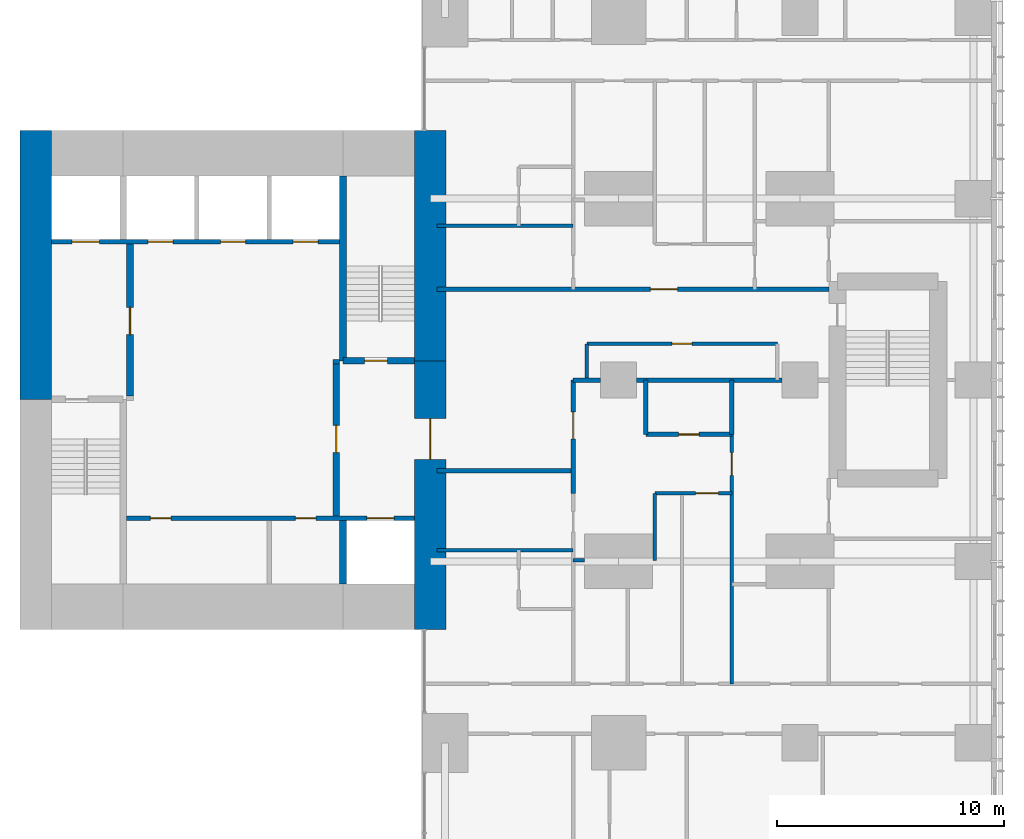
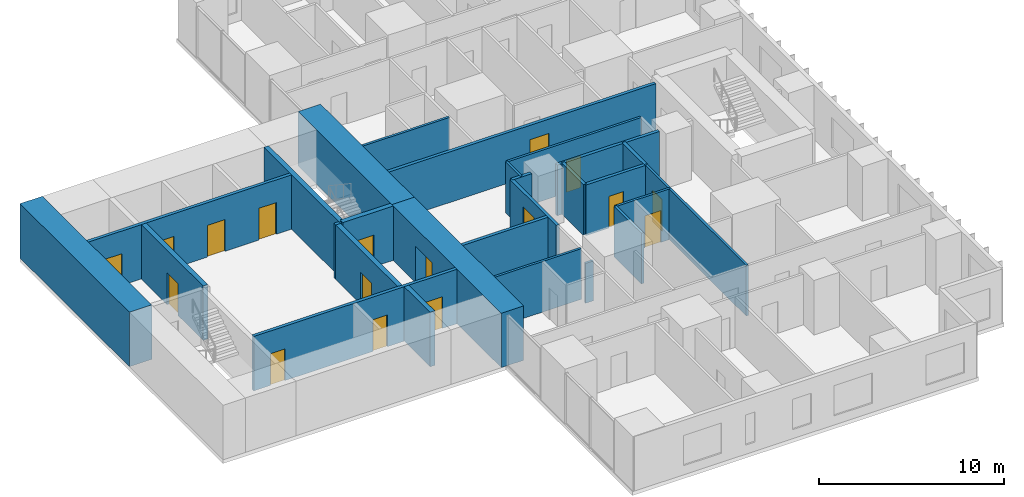
# One storey, part 8 of 12: 27 walls, 17 doors, 17 openings.
"""IFC4 building model written with IfcOpenShell, lengths in metres."""

from ifc_helpers import new_model, si_unit, direction, frame, frame_2d, origin, place, context, subcontext, project, spatial, rectangle, extrude, material, layer, layer_set, type_object, element, fill, save


model = new_model("IFC4")

# Units and contexts
model_context = context("Model", 3, precision=1e-05, world=origin(), true_north=direction((0.0, 1.0)))
body_context = subcontext(model_context, "Body", "Model", "MODEL_VIEW")
ifc_project = project(units=[si_unit("LENGTHUNIT", "METRE"), si_unit("AREAUNIT", "SQUARE_METRE"), si_unit("VOLUMEUNIT", "CUBIC_METRE"), si_unit("PLANEANGLEUNIT", "RADIAN"), si_unit("MASSUNIT", "GRAM", prefix="KILO")], contexts=[model_context])

# Site, building, storey
site_placement = place(None, origin())
site = spatial("IfcSite", under=ifc_project, at=site_placement, CompositionType="ELEMENT")
building_placement = place(site_placement, origin())
building = spatial("IfcBuilding", under=site, at=building_placement, Name="Cleftline Residences", CompositionType="ELEMENT")
storey_placement = place(building_placement, frame((0.0, 0.0, 241.199951171875)))
storey = spatial("IfcBuildingStorey", under=building, at=storey_placement, Name="L63", CompositionType="ELEMENT", Elevation=241.199951171875)

# Wall
ifc_material_1 = material(Name="Concrete B70", Category="concrete")
ifc_layer_1 = layer(ifc_material_1, 1.39990234375)
ifc_layer_set_1 = layer_set([ifc_layer_1], Name="CORE WALL 1400")
wall_type_1 = type_object("IfcWallType", Name="CORE WALL 1400", PredefinedType="SHEAR", material=ifc_layer_set_1)
wall_1_placement = place(storey_placement, frame((24.300048828125, 23.14990234375, 0.0), z_axis=(0.0, 0.0, 1.0), x_axis=(0.0, 1.0, 0.0)))
element("IfcWall", 1, at=wall_1_placement, inside=storey, type_object=wall_type_1, Name="Core wall W", PredefinedType="SHEAR", context=body_context, shape_type="SweptSolid", body=[
    extrude(rectangle(XDim=11.85009765625, YDim=1.39990234375, at=frame_2d((5.925048828125, 0.0))), origin(), (0.0, 0.0, 1.0), 3.60009765625),
])

# Wall, opening, door
wall_2_placement = place(storey_placement, frame((41.699951171875, 13.0, 0.0), z_axis=(0.0, 0.0, 1.0), x_axis=(0.0, 1.0, 0.0)))
wall_2 = element("IfcWall", 2, at=wall_2_placement, inside=storey, type_object=wall_type_1, Name="Core wall E", PredefinedType="SHEAR", context=body_context, shape_type="SweptSolid", body=[
    extrude(rectangle(XDim=11.85009765625, YDim=1.39990234375, at=frame_2d((5.925048828125, 0.0))), origin(), (0.0, 0.0, 1.0), 3.60009765625),
])
opening_1_placement = place(wall_2_placement, frame((7.5, 0.0, 0.0)))
opening_1 = element("IfcOpeningElement", 3, at=opening_1_placement, cuts=wall_2, Name="Opening D7", PredefinedType="OPENING", context=body_context, shape_type="SweptSolid", body=[
    extrude(rectangle(XDim=1.800048828125, YDim=2.39990234375, at=frame_2d((0.89990234375, 1.199951171875))), frame((0.0, 0.7099609375, 0.0), z_axis=(0.0, -1.0, 0.0), x_axis=(1.0, 0.0, 0.0)), (0.0, 0.0, 1.0), 1.419921875),
])
ifc_material_2 = material(Name="Steel", Category="steel")
door_type_1 = type_object("IfcDoorType", Name="WING DOOR 1800X2400", OperationType="DOUBLE_DOOR_DOUBLE_SWING", PredefinedType="DOOR", material=ifc_material_2)
door_1_placement = place(opening_1_placement, origin())
door_1 = element("IfcDoor", 4, at=door_1_placement, inside=storey, type_object=door_type_1, Name="East wing door", OperationType="DOUBLE_DOOR_DOUBLE_SWING", OverallHeight=2.39990234375, OverallWidth=1.800048828125, PredefinedType="DOOR", context=body_context, shape_type="SweptSolid", body=[
    extrude(rectangle(XDim=1.800048828125, YDim=2.39990234375, at=frame_2d((0.89990234375, 1.199951171875))), frame((0.0, 0.02490234375, 0.0), z_axis=(0.0, -1.0, 0.0), x_axis=(1.0, 0.0, 0.0)), (0.0, 0.0, 1.0), 0.050048828125),
])
fill(opening_1, door_1)

# Walls
wall_3_placement = place(storey_placement, frame((41.699951171875, 24.85009765625, 0.0), z_axis=(0.0, 0.0, 1.0), x_axis=(0.0, 1.0, 0.0)))
element("IfcWall", 5, at=wall_3_placement, inside=storey, type_object=wall_type_1, Name="Core wall E1", PredefinedType="SHEAR", context=body_context, shape_type="SweptSolid", body=[
    extrude(rectangle(XDim=10.14990234375, YDim=1.39990234375, at=frame_2d((5.074951171875, 0.0))), origin(), (0.0, 0.0, 1.0), 3.60009765625),
])
ifc_material_3 = material(Name="Concrete B70", Category="concrete")
ifc_layer_2 = layer(ifc_material_3, 0.300048828125)
ifc_layer_set_2 = layer_set([ifc_layer_2], Name="CORE WALL 300")
wall_type_2 = type_object("IfcWallType", Name="CORE WALL 300", PredefinedType="SHEAR", material=ifc_layer_set_2)
wall_4_placement = place(storey_placement, frame((37.85009765625, 24.85009765625, 0.0), z_axis=(0.0, 0.0, 1.0), x_axis=(0.0, 1.0, 0.0)))
element("IfcWall", 6, at=wall_4_placement, inside=storey, type_object=wall_type_2, Name="Core wall SB-W", PredefinedType="SHEAR", context=body_context, shape_type="SweptSolid", body=[
    extrude(rectangle(XDim=8.14990234375, YDim=0.300048828125, at=frame_2d((4.074951171875, 0.0))), origin(), (0.0, 0.0, 1.0), 3.60009765625),
])

# Wall, opening, door
wall_5_placement = place(storey_placement, frame((37.85009765625, 24.85009765625, 0.0), z_axis=(0.0, 0.0, 1.0), x_axis=(1.0, 0.0, 0.0)))
wall_5 = element("IfcWall", 7, at=wall_5_placement, inside=storey, type_object=wall_type_2, Name="Core wall SB-S", PredefinedType="SHEAR", context=body_context, shape_type="SweptSolid", body=[
    extrude(rectangle(XDim=3.14990234375, YDim=0.300048828125, at=frame_2d((1.574951171875, 0.0))), origin(), (0.0, 0.0, 1.0), 3.60009765625),
])
opening_2_placement = place(wall_5_placement, frame((0.949951171875, 0.0, 0.0)))
opening_2 = element("IfcOpeningElement", 8, at=opening_2_placement, cuts=wall_5, Name="Opening D5", PredefinedType="OPENING", context=body_context, shape_type="SweptSolid", body=[
    extrude(rectangle(XDim=1.0, YDim=2.10009765625, at=frame_2d((0.5, 1.050048828125))), frame((0.0, 0.159912109375, 0.0), z_axis=(0.0, -1.0, 0.0), x_axis=(1.0, 0.0, 0.0)), (0.0, 0.0, 1.0), 0.320068359375),
])
ifc_material_4 = material(Name="Steel", Category="steel")
door_type_2 = type_object("IfcDoorType", Name="STAIR DOOR 1000X2100", OperationType="SINGLE_SWING_LEFT", PredefinedType="DOOR", material=ifc_material_4)
door_2_placement = place(opening_2_placement, origin())
door_2 = element("IfcDoor", 9, at=door_2_placement, inside=storey, type_object=door_type_2, Name="Stair B door", OperationType="SINGLE_SWING_RIGHT", OverallHeight=2.10009765625, OverallWidth=1.0, PredefinedType="DOOR", context=body_context, shape_type="SweptSolid", body=[
    extrude(rectangle(XDim=1.0, YDim=2.10009765625, at=frame_2d((0.5, 1.050048828125))), frame((0.0, 0.02490234375, 0.0), z_axis=(0.0, -1.0, 0.0), x_axis=(1.0, 0.0, 0.0)), (0.0, 0.0, 1.0), 0.050048828125),
])
fill(opening_2, door_2)

# Walls
wall_6_placement = place(storey_placement, frame((37.85009765625, 15.0, 0.0), z_axis=(0.0, 0.0, 1.0), x_axis=(0.0, 1.0, 0.0)))
element("IfcWall", 10, at=wall_6_placement, inside=storey, type_object=wall_type_2, Name="Lift shaft wall", PredefinedType="SHEAR", context=body_context, shape_type="SweptSolid", body=[
    extrude(rectangle(XDim=2.800048828125, YDim=0.300048828125, at=frame_2d((1.39990234375, 0.0))), origin(), (0.0, 0.0, 1.0), 3.60009765625),
])
ifc_material_5 = material(Name="Concrete blockwork, fire rated", Category="masonry")
ifc_layer_3 = layer(ifc_material_5, 0.199951171875)
ifc_layer_set_3 = layer_set([ifc_layer_3], Name="FIRE WALL 200")
wall_type_3 = type_object("IfcWallType", Name="FIRE WALL 200", PredefinedType="PARTITIONING", material=ifc_layer_set_3)
wall_7_placement = place(storey_placement, frame((42.0, 20.0, 0.0), z_axis=(0.0, 0.0, 1.0), x_axis=(1.0, 0.0, 0.0)))
element("IfcWall", 11, at=wall_7_placement, inside=storey, type_object=wall_type_3, Name="Fire separating wall", PredefinedType="PARTITIONING", context=body_context, shape_type="SweptSolid", body=[
    extrude(rectangle(XDim=6.0, YDim=0.199951171875, at=frame_2d((3.0, 0.0))), origin(), (0.0, 0.0, 1.0), 3.35009765625),
])

# Wall, opening, door
wall_8_placement = place(storey_placement, frame((51.199951171875, 21.60009765625, 0.0), z_axis=(0.0, 0.0, 1.0), x_axis=(1.0, 0.0, 0.0)))
wall_8 = element("IfcWall", 12, at=wall_8_placement, inside=storey, type_object=wall_type_3, Name="Fire separating wall", PredefinedType="PARTITIONING", context=body_context, shape_type="SweptSolid", body=[
    extrude(rectangle(XDim=3.800048828125, YDim=0.199951171875, at=frame_2d((1.89990234375, 0.0))), origin(), (0.0, 0.0, 1.0), 3.35009765625),
])
opening_3_placement = place(wall_8_placement, frame((1.449951171875, 0.0, 0.0)))
opening_3 = element("IfcOpeningElement", 13, at=opening_3_placement, cuts=wall_8, Name="Opening D1F30", PredefinedType="OPENING", context=body_context, shape_type="SweptSolid", body=[
    extrude(rectangle(XDim=0.89990234375, YDim=2.10009765625, at=frame_2d((0.449951171875, 1.050048828125))), frame((0.0, 0.10986328125, 0.0), z_axis=(0.0, -1.0, 0.0), x_axis=(1.0, 0.0, 0.0)), (0.0, 0.0, 1.0), 0.219970703125),
])
ifc_material_6 = material(Name="Timber veneer on solid core", Category="wood")
door_type_3 = type_object("IfcDoorType", Name="DOOR 900X2100 EI 30", OperationType="SINGLE_SWING_LEFT", PredefinedType="DOOR", material=ifc_material_6)
door_3_placement = place(opening_3_placement, origin())
door_3 = element("IfcDoor", 14, at=door_3_placement, inside=storey, type_object=door_type_3, Name="Door to cloakroom wc", OperationType="SINGLE_SWING_LEFT", OverallHeight=2.10009765625, OverallWidth=0.89990234375, PredefinedType="DOOR", context=body_context, shape_type="SweptSolid", body=[
    extrude(rectangle(XDim=0.89990234375, YDim=2.10009765625, at=frame_2d((0.449951171875, 1.050048828125))), frame((0.0, 0.02490234375, 0.0), z_axis=(0.0, -1.0, 0.0), x_axis=(1.0, 0.0, 0.0)), (0.0, 0.0, 1.0), 0.050048828125),
])
fill(opening_3, door_3)

# Walls
wall_9_placement = place(storey_placement, frame((48.0, 24.0, 0.0), z_axis=(0.0, 0.0, 1.0), x_axis=(1.0, 0.0, 0.0)))
element("IfcWall", 15, at=wall_9_placement, inside=storey, type_object=wall_type_3, Name="Fire separating wall", PredefinedType="PARTITIONING", context=body_context, shape_type="SweptSolid", body=[
    extrude(rectangle(XDim=1.199951171875, YDim=0.199951171875, at=frame_2d((0.60009765625, 0.0))), origin(), (0.0, 0.0, 1.0), 3.35009765625),
])
wall_10_placement = place(storey_placement, frame((50.800048828125, 24.0, 0.0), z_axis=(0.0, 0.0, 1.0), x_axis=(1.0, 0.0, 0.0)))
element("IfcWall", 16, at=wall_10_placement, inside=storey, type_object=wall_type_3, Name="Fire separating wall", PredefinedType="PARTITIONING", context=body_context, shape_type="SweptSolid", body=[
    extrude(rectangle(XDim=6.39990234375, YDim=0.199951171875, at=frame_2d((3.199951171875, 0.0))), origin(), (0.0, 0.0, 1.0), 3.35009765625),
])

# Wall, opening, door
wall_11_placement = place(storey_placement, frame((42.0, 28.0, 0.0), z_axis=(0.0, 0.0, 1.0), x_axis=(1.0, 0.0, 0.0)))
wall_11 = element("IfcWall", 17, at=wall_11_placement, inside=storey, type_object=wall_type_3, Name="Fire separating wall", PredefinedType="PARTITIONING", context=body_context, shape_type="SweptSolid", body=[
    extrude(rectangle(XDim=17.27490234375, YDim=0.199951171875, at=frame_2d((8.637451171875, 0.0))), origin(), (0.0, 0.0, 1.0), 3.35009765625),
])
opening_4_placement = place(wall_11_placement, frame((9.39990234375, 0.0, 0.0)))
opening_4 = element("IfcOpeningElement", 18, at=opening_4_placement, cuts=wall_11, Name="Opening D4", PredefinedType="OPENING", context=body_context, shape_type="SweptSolid", body=[
    extrude(rectangle(XDim=1.199951171875, YDim=2.39990234375, at=frame_2d((0.60009765625, 1.199951171875))), frame((0.0, 0.10986328125, 0.0), z_axis=(0.0, -1.0, 0.0), x_axis=(1.0, 0.0, 0.0)), (0.0, 0.0, 1.0), 0.219970703125),
])
ifc_material_7 = material(Name="Timber veneer on solid core", Category="wood")
door_type_4 = type_object("IfcDoorType", Name="APARTMENT ENTRANCE DOOR 1200X2400", OperationType="SINGLE_SWING_RIGHT", PredefinedType="DOOR", material=ifc_material_7)
door_4_placement = place(opening_4_placement, origin())
door_4 = element("IfcDoor", 19, at=door_4_placement, inside=storey, type_object=door_type_4, Name="Door to residence entrance (gallery)", OperationType="SINGLE_SWING_LEFT", OverallHeight=2.39990234375, OverallWidth=1.199951171875, PredefinedType="DOOR", context=body_context, shape_type="SweptSolid", body=[
    extrude(rectangle(XDim=1.199951171875, YDim=2.39990234375, at=frame_2d((0.60009765625, 1.199951171875))), frame((0.0, 0.02490234375, 0.0), z_axis=(0.0, -1.0, 0.0), x_axis=(1.0, 0.0, 0.0)), (0.0, 0.0, 1.0), 0.050048828125),
])
fill(opening_4, door_4)

wall_12_placement = place(storey_placement, frame((48.0, 19.0, 0.0), z_axis=(0.0, 0.0, 1.0), x_axis=(0.0, 1.0, 0.0)))
wall_12 = element("IfcWall", 20, at=wall_12_placement, inside=storey, type_object=wall_type_3, Name="Fire separating wall", PredefinedType="PARTITIONING", context=body_context, shape_type="SweptSolid", body=[
    extrude(rectangle(XDim=5.0, YDim=0.199951171875, at=frame_2d((2.5, 0.0))), origin(), (0.0, 0.0, 1.0), 3.35009765625),
])
opening_5_placement = place(wall_12_placement, frame((2.39990234375, 0.0, 0.0)))
opening_5 = element("IfcOpeningElement", 21, at=opening_5_placement, cuts=wall_12, Name="Opening D4", PredefinedType="OPENING", context=body_context, shape_type="SweptSolid", body=[
    extrude(rectangle(XDim=1.199951171875, YDim=2.39990234375, at=frame_2d((0.60009765625, 1.199951171875))), frame((0.0, 0.10986328125, 0.0), z_axis=(0.0, -1.0, 0.0), x_axis=(1.0, 0.0, 0.0)), (0.0, 0.0, 1.0), 0.219970703125),
])
door_5_placement = place(opening_5_placement, origin())
door_5 = element("IfcDoor", 22, at=door_5_placement, inside=storey, type_object=door_type_4, Name="Door to residence entrance foyer", OperationType="SINGLE_SWING_LEFT", OverallHeight=2.39990234375, OverallWidth=1.199951171875, PredefinedType="DOOR", context=body_context, shape_type="SweptSolid", body=[
    extrude(rectangle(XDim=1.199951171875, YDim=2.39990234375, at=frame_2d((0.60009765625, 1.199951171875))), frame((0.0, 0.02490234375, 0.0), z_axis=(0.0, -1.0, 0.0), x_axis=(1.0, 0.0, 0.0)), (0.0, 0.0, 1.0), 0.050048828125),
])
fill(opening_5, door_5)

# Walls
for number, where, z_axis, x_axis, name in (
    (23, (51.199951171875, 21.60009765625, 0.0), (0.0, 0.0, 1.0), (0.0, 1.0, 0.0), "Fire separating wall"),
    (24, (55.0, 21.60009765625, 0.0), (0.0, 0.0, 1.0), (0.0, 1.0, 0.0), "Fire separating wall"),
):
    element("IfcWall", number, at=place(storey_placement, frame(where, z_axis=z_axis, x_axis=x_axis)), inside=storey, type_object=wall_type_3, Name=name, PredefinedType="PARTITIONING", context=body_context, shape_type="SweptSolid", body=[
        extrude(rectangle(XDim=2.39990234375, YDim=0.199951171875, at=frame_2d((1.199951171875, 0.0))), origin(), (0.0, 0.0, 1.0), 3.35009765625),
    ])
wall_13_placement = place(storey_placement, frame((37.39990234375, 24.800048828125, 0.0), z_axis=(0.0, 0.0, 1.0), x_axis=(1.0, 0.0, 0.0)))
element("IfcWall", 25, at=wall_13_placement, inside=storey, type_object=wall_type_3, Name="Fire separating wall", PredefinedType="PARTITIONING", context=body_context, shape_type="SweptSolid", body=[
    extrude(rectangle(XDim=0.300048828125, YDim=0.199951171875, at=frame_2d((0.14990234375, 0.0))), origin(), (0.0, 0.0, 1.0), 3.60009765625),
])
ifc_material_8 = material(Name="Gypsum board on steel studs", Category="steel")
ifc_layer_4 = layer(ifc_material_8, 0.14990234375)
ifc_layer_set_4 = layer_set([ifc_layer_4], Name="PARTITION 150")
wall_type_4 = type_object("IfcWallType", Name="PARTITION 150", PredefinedType="PARTITIONING", material=ifc_layer_set_4)
wall_14_placement = place(storey_placement, frame((48.0, 16.050048828125, 0.0), z_axis=(0.0, 0.0, 1.0), x_axis=(1.0, 0.0, 0.0)))
element("IfcWall", 26, at=wall_14_placement, inside=storey, type_object=wall_type_4, Name="Partition", PredefinedType="PARTITIONING", context=body_context, shape_type="SweptSolid", body=[
    extrude(rectangle(XDim=0.5, YDim=0.14990234375, at=frame_2d((0.25, 0.0))), origin(), (0.0, 0.0, 1.0), 2.634033203125),
])
wall_15_placement = place(storey_placement, frame((42.0, 16.5, 0.0), z_axis=(0.0, 0.0, 1.0), x_axis=(1.0, 0.0, 0.0)))
element("IfcWall", 27, at=wall_15_placement, inside=storey, type_object=wall_type_4, Name="Partition", PredefinedType="PARTITIONING", context=body_context, shape_type="SweptSolid", body=[
    extrude(rectangle(XDim=6.0, YDim=0.14990234375, at=frame_2d((3.0, 0.0))), origin(), (0.0, 0.0, 1.0), 3.35009765625),
])

# Wall, opening, door
wall_16_placement = place(storey_placement, frame((51.60009765625, 19.0, 0.0), z_axis=(0.0, 0.0, 1.0), x_axis=(1.0, 0.0, 0.0)))
wall_16 = element("IfcWall", 28, at=wall_16_placement, inside=storey, type_object=wall_type_4, Name="Partition", PredefinedType="PARTITIONING", context=body_context, shape_type="SweptSolid", body=[
    extrude(rectangle(XDim=3.39990234375, YDim=0.14990234375, at=frame_2d((1.699951171875, 0.0))), origin(), (0.0, 0.0, 1.0), 3.35009765625),
])
opening_6_placement = place(wall_16_placement, frame((1.800048828125, 0.0, 0.0)))
opening_6 = element("IfcOpeningElement", 29, at=opening_6_placement, cuts=wall_16, Name="Opening D2", PredefinedType="OPENING", context=body_context, shape_type="SweptSolid", body=[
    extrude(rectangle(XDim=1.0, YDim=2.10009765625, at=frame_2d((0.5, 1.050048828125))), frame((0.0, 0.0849609375, 0.0), z_axis=(0.0, -1.0, 0.0), x_axis=(1.0, 0.0, 0.0)), (0.0, 0.0, 1.0), 0.169921875),
])
ifc_material_9 = material(Name="Timber veneer on solid core", Category="wood")
door_type_5 = type_object("IfcDoorType", Name="DOOR 1000X2100", OperationType="SINGLE_SWING_LEFT", PredefinedType="DOOR", material=ifc_material_9)
door_6_placement = place(opening_6_placement, origin())
door_6 = element("IfcDoor", 30, at=door_6_placement, inside=storey, type_object=door_type_5, Name="Door to residence passage", OperationType="SINGLE_SWING_LEFT", OverallHeight=2.10009765625, OverallWidth=1.0, PredefinedType="DOOR", context=body_context, shape_type="SweptSolid", body=[
    extrude(rectangle(XDim=1.0, YDim=2.10009765625, at=frame_2d((0.5, 1.050048828125))), frame((0.0, 0.02490234375, 0.0), z_axis=(0.0, -1.0, 0.0), x_axis=(1.0, 0.0, 0.0)), (0.0, 0.0, 1.0), 0.050048828125),
])
fill(opening_6, door_6)

wall_17_placement = place(storey_placement, frame((48.60009765625, 25.60009765625, 0.0), z_axis=(0.0, 0.0, 1.0), x_axis=(1.0, 0.0, 0.0)))
wall_17 = element("IfcWall", 31, at=wall_17_placement, inside=storey, type_object=wall_type_4, Name="Partition", PredefinedType="PARTITIONING", context=body_context, shape_type="SweptSolid", body=[
    extrude(rectangle(XDim=8.39990234375, YDim=0.14990234375, at=frame_2d((4.199951171875, 0.0))), origin(), (0.0, 0.0, 1.0), 3.35009765625),
])
opening_7_placement = place(wall_17_placement, frame((3.75, 0.0, 0.0)))
opening_7 = element("IfcOpeningElement", 32, at=opening_7_placement, cuts=wall_17, Name="Opening D1", PredefinedType="OPENING", context=body_context, shape_type="SweptSolid", body=[
    extrude(rectangle(XDim=0.89990234375, YDim=2.10009765625, at=frame_2d((0.449951171875, 1.050048828125))), frame((0.0, 0.0849609375, 0.0), z_axis=(0.0, -1.0, 0.0), x_axis=(1.0, 0.0, 0.0)), (0.0, 0.0, 1.0), 0.169921875),
])
ifc_material_10 = material(Name="Timber veneer on solid core", Category="wood")
door_type_6 = type_object("IfcDoorType", Name="DOOR 900X2100", OperationType="SINGLE_SWING_LEFT", PredefinedType="DOOR", material=ifc_material_10)
door_7_placement = place(opening_7_placement, origin())
door_7 = element("IfcDoor", 33, at=door_7_placement, inside=storey, type_object=door_type_6, Name="Door to residents' locker room", OperationType="SINGLE_SWING_LEFT", OverallHeight=2.10009765625, OverallWidth=0.89990234375, PredefinedType="DOOR", context=body_context, shape_type="SweptSolid", body=[
    extrude(rectangle(XDim=0.89990234375, YDim=2.10009765625, at=frame_2d((0.449951171875, 1.050048828125))), frame((0.0, 0.02490234375, 0.0), z_axis=(0.0, -1.0, 0.0), x_axis=(1.0, 0.0, 0.0)), (0.0, 0.0, 1.0), 0.050048828125),
])
fill(opening_7, door_7)

# Walls
wall_18_placement = place(storey_placement, frame((42.0, 30.800048828125, 0.0), z_axis=(0.0, 0.0, 1.0), x_axis=(1.0, 0.0, 0.0)))
element("IfcWall", 34, at=wall_18_placement, inside=storey, type_object=wall_type_4, Name="Partition", PredefinedType="PARTITIONING", context=body_context, shape_type="SweptSolid", body=[
    extrude(rectangle(XDim=6.0, YDim=0.14990234375, at=frame_2d((3.0, 0.0))), origin(), (0.0, 0.0, 1.0), 3.35009765625),
])
wall_19_placement = place(storey_placement, frame((48.60009765625, 24.0, 0.0), z_axis=(0.0, 0.0, 1.0), x_axis=(0.0, 1.0, 0.0)))
element("IfcWall", 35, at=wall_19_placement, inside=storey, type_object=wall_type_4, Name="Partition", PredefinedType="PARTITIONING", context=body_context, shape_type="SweptSolid", body=[
    extrude(rectangle(XDim=1.60009765625, YDim=0.14990234375, at=frame_2d((0.800048828125, 0.0))), origin(), (0.0, 0.0, 1.0), 3.35009765625),
])
wall_20_placement = place(storey_placement, frame((51.60009765625, 16.050048828125, 0.0), z_axis=(0.0, 0.0, 1.0), x_axis=(0.0, 1.0, 0.0)))
element("IfcWall", 36, at=wall_20_placement, inside=storey, type_object=wall_type_4, Name="Partition", PredefinedType="PARTITIONING", context=body_context, shape_type="SweptSolid", body=[
    extrude(rectangle(XDim=2.949951171875, YDim=0.14990234375, at=frame_2d((1.47509765625, 0.0))), origin(), (0.0, 0.0, 1.0), 3.35009765625),
])

# Wall, opening, door
wall_21_placement = place(storey_placement, frame((55.0, 10.60009765625, 0.0), z_axis=(0.0, 0.0, 1.0), x_axis=(0.0, 1.0, 0.0)))
wall_21 = element("IfcWall", 37, at=wall_21_placement, inside=storey, type_object=wall_type_4, Name="Partition", PredefinedType="PARTITIONING", context=body_context, shape_type="SweptSolid", body=[
    extrude(rectangle(XDim=11.0, YDim=0.14990234375, at=frame_2d((5.5, 0.0))), origin(), (0.0, 0.0, 1.0), 3.35009765625),
])
opening_8_placement = place(wall_21_placement, frame((9.199951171875, 0.0, 0.0)))
opening_8 = element("IfcOpeningElement", 38, at=opening_8_placement, cuts=wall_21, Name="Opening D2F30", PredefinedType="OPENING", context=body_context, shape_type="SweptSolid", body=[
    extrude(rectangle(XDim=1.0, YDim=2.10009765625, at=frame_2d((0.5, 1.050048828125))), frame((0.0, 0.0849609375, 0.0), z_axis=(0.0, -1.0, 0.0), x_axis=(1.0, 0.0, 0.0)), (0.0, 0.0, 1.0), 0.169921875),
])
ifc_material_11 = material(Name="Timber veneer on solid core", Category="wood")
door_type_7 = type_object("IfcDoorType", Name="DOOR 1000X2100 EI 30", OperationType="SINGLE_SWING_LEFT", PredefinedType="DOOR", material=ifc_material_11)
door_8_placement = place(opening_8_placement, origin())
door_8 = element("IfcDoor", 39, at=door_8_placement, inside=storey, type_object=door_type_7, Name="Door to residence lobby", OperationType="SINGLE_SWING_LEFT", OverallHeight=2.10009765625, OverallWidth=1.0, PredefinedType="DOOR", context=body_context, shape_type="SweptSolid", body=[
    extrude(rectangle(XDim=1.0, YDim=2.10009765625, at=frame_2d((0.5, 1.050048828125))), frame((0.0, 0.02490234375, 0.0), z_axis=(0.0, -1.0, 0.0), x_axis=(1.0, 0.0, 0.0)), (0.0, 0.0, 1.0), 0.050048828125),
])
fill(opening_8, door_8)

# Wall, openings, doors
ifc_material_12 = material(Name="Concrete blockwork, fire rated", Category="masonry")
ifc_layer_5 = layer(ifc_material_12, 0.199951171875)
ifc_layer_set_5 = layer_set([ifc_layer_5], Name="SHAFT WALL 200")
wall_type_5 = type_object("IfcWallType", Name="SHAFT WALL 200", PredefinedType="PARTITIONING", material=ifc_layer_set_5)
wall_22_placement = place(storey_placement, frame((28.300048828125, 17.89990234375, 0.0), z_axis=(0.0, 0.0, 1.0), x_axis=(1.0, 0.0, 0.0)))
wall_22 = element("IfcWall", 40, at=wall_22_placement, inside=storey, type_object=wall_type_5, Name="Core room wall", PredefinedType="PARTITIONING", context=body_context, shape_type="SweptSolid", body=[
    extrude(rectangle(XDim=12.699951171875, YDim=0.199951171875, at=frame_2d((6.35009765625, 0.0))), origin(), (0.0, 0.0, 1.0), 3.60009765625),
])
opening_9_placement = place(wall_22_placement, frame((1.050048828125, 0.0, 0.0)))
opening_9 = element("IfcOpeningElement", 41, at=opening_9_placement, cuts=wall_22, Name="Opening D1F30", PredefinedType="OPENING", context=body_context, shape_type="SweptSolid", body=[
    extrude(rectangle(XDim=0.89990234375, YDim=2.10009765625, at=frame_2d((0.449951171875, 1.050048828125))), frame((0.0, 0.10986328125, 0.0), z_axis=(0.0, -1.0, 0.0), x_axis=(1.0, 0.0, 0.0)), (0.0, 0.0, 1.0), 0.219970703125),
])
opening_10_placement = place(wall_22_placement, frame((7.449951171875, 0.0, 0.0)))
opening_10 = element("IfcOpeningElement", 42, at=opening_10_placement, cuts=wall_22, Name="Opening D1F30", PredefinedType="OPENING", context=body_context, shape_type="SweptSolid", body=[
    extrude(rectangle(XDim=0.89990234375, YDim=2.10009765625, at=frame_2d((0.449951171875, 1.050048828125))), frame((0.0, 0.10986328125, 0.0), z_axis=(0.0, -1.0, 0.0), x_axis=(1.0, 0.0, 0.0)), (0.0, 0.0, 1.0), 0.219970703125),
])
opening_11_placement = place(wall_22_placement, frame((10.60009765625, 0.0, 0.0)))
opening_11 = element("IfcOpeningElement", 43, at=opening_11_placement, cuts=wall_22, Name="Opening LD2", PredefinedType="OPENING", context=body_context, shape_type="SweptSolid", body=[
    extrude(rectangle(XDim=1.199951171875, YDim=2.10009765625, at=frame_2d((0.60009765625, 1.050048828125))), frame((0.0, 0.10986328125, 0.0), z_axis=(0.0, -1.0, 0.0), x_axis=(1.0, 0.0, 0.0)), (0.0, 0.0, 1.0), 0.219970703125),
])
door_9_placement = place(opening_9_placement, origin())
door_9 = element("IfcDoor", 44, at=door_9_placement, inside=storey, type_object=door_type_3, Name="Door to linen store", OperationType="SINGLE_SWING_RIGHT", OverallHeight=2.10009765625, OverallWidth=0.89990234375, PredefinedType="DOOR", context=body_context, shape_type="SweptSolid", body=[
    extrude(rectangle(XDim=0.89990234375, YDim=2.10009765625, at=frame_2d((0.449951171875, 1.050048828125))), frame((0.0, 0.02490234375, 0.0), z_axis=(0.0, -1.0, 0.0), x_axis=(1.0, 0.0, 0.0)), (0.0, 0.0, 1.0), 0.050048828125),
])
fill(opening_9, door_9)
door_10_placement = place(opening_10_placement, origin())
door_10 = element("IfcDoor", 45, at=door_10_placement, inside=storey, type_object=door_type_3, Name="Door to guest pantry", OperationType="SINGLE_SWING_LEFT", OverallHeight=2.10009765625, OverallWidth=0.89990234375, PredefinedType="DOOR", context=body_context, shape_type="SweptSolid", body=[
    extrude(rectangle(XDim=0.89990234375, YDim=2.10009765625, at=frame_2d((0.449951171875, 1.050048828125))), frame((0.0, 0.02490234375, 0.0), z_axis=(0.0, -1.0, 0.0), x_axis=(1.0, 0.0, 0.0)), (0.0, 0.0, 1.0), 0.050048828125),
])
fill(opening_10, door_10)
ifc_material_13 = material(Name="Steel", Category="steel")
door_type_8 = type_object("IfcDoorType", Name="FIREFIGHTING LIFT LANDING DOOR 1200X2100", OperationType="SLIDING_TO_LEFT", PredefinedType="DOOR", material=ifc_material_13)
door_11_placement = place(opening_11_placement, origin())
door_11 = element("IfcDoor", 46, at=door_11_placement, inside=storey, type_object=door_type_8, Name="Lift FL2 landing door", OperationType="SLIDING_TO_LEFT", OverallHeight=2.10009765625, OverallWidth=1.199951171875, PredefinedType="DOOR", context=body_context, shape_type="SweptSolid", body=[
    extrude(rectangle(XDim=1.199951171875, YDim=2.10009765625, at=frame_2d((0.60009765625, 1.050048828125))), frame((0.0, 0.02490234375, 0.0), z_axis=(0.0, -1.0, 0.0), x_axis=(1.0, 0.0, 0.0)), (0.0, 0.0, 1.0), 0.050048828125),
])
fill(opening_11, door_11)

wall_23_placement = place(storey_placement, frame((25.0, 30.10009765625, 0.0), z_axis=(0.0, 0.0, 1.0), x_axis=(1.0, 0.0, 0.0)))
wall_23 = element("IfcWall", 47, at=wall_23_placement, inside=storey, type_object=wall_type_5, Name="Lift shaft wall", PredefinedType="PARTITIONING", context=body_context, shape_type="SweptSolid", body=[
    extrude(rectangle(XDim=12.699951171875, YDim=0.199951171875, at=frame_2d((6.35009765625, 0.0))), origin(), (0.0, 0.0, 1.0), 3.60009765625),
])
opening_12_placement = place(wall_23_placement, frame((4.25, 0.0, 0.0)))
opening_12 = element("IfcOpeningElement", 48, at=opening_12_placement, cuts=wall_23, Name="Opening LD1", PredefinedType="OPENING", context=body_context, shape_type="SweptSolid", body=[
    extrude(rectangle(XDim=1.10009765625, YDim=2.10009765625, at=frame_2d((0.550048828125, 1.050048828125))), frame((0.0, 0.10986328125, 0.0), z_axis=(0.0, -1.0, 0.0), x_axis=(1.0, 0.0, 0.0)), (0.0, 0.0, 1.0), 0.219970703125),
])
opening_13_placement = place(wall_23_placement, frame((7.449951171875, 0.0, 0.0)))
opening_13 = element("IfcOpeningElement", 49, at=opening_13_placement, cuts=wall_23, Name="Opening LD1", PredefinedType="OPENING", context=body_context, shape_type="SweptSolid", body=[
    extrude(rectangle(XDim=1.10009765625, YDim=2.10009765625, at=frame_2d((0.550048828125, 1.050048828125))), frame((0.0, 0.10986328125, 0.0), z_axis=(0.0, -1.0, 0.0), x_axis=(1.0, 0.0, 0.0)), (0.0, 0.0, 1.0), 0.219970703125),
])
opening_14_placement = place(wall_23_placement, frame((10.64990234375, 0.0, 0.0)))
opening_14 = element("IfcOpeningElement", 50, at=opening_14_placement, cuts=wall_23, Name="Opening LD1", PredefinedType="OPENING", context=body_context, shape_type="SweptSolid", body=[
    extrude(rectangle(XDim=1.10009765625, YDim=2.10009765625, at=frame_2d((0.550048828125, 1.050048828125))), frame((0.0, 0.10986328125, 0.0), z_axis=(0.0, -1.0, 0.0), x_axis=(1.0, 0.0, 0.0)), (0.0, 0.0, 1.0), 0.219970703125),
])
opening_15_placement = place(wall_23_placement, frame((0.89990234375, 0.0, 0.0)))
opening_15 = element("IfcOpeningElement", 51, at=opening_15_placement, cuts=wall_23, Name="Opening LD2", PredefinedType="OPENING", context=body_context, shape_type="SweptSolid", body=[
    extrude(rectangle(XDim=1.199951171875, YDim=2.10009765625, at=frame_2d((0.60009765625, 1.050048828125))), frame((0.0, 0.10986328125, 0.0), z_axis=(0.0, -1.0, 0.0), x_axis=(1.0, 0.0, 0.0)), (0.0, 0.0, 1.0), 0.219970703125),
])
door_12_placement = place(opening_15_placement, origin())
door_12 = element("IfcDoor", 52, at=door_12_placement, inside=storey, type_object=door_type_8, Name="Lift FL1 landing door", OperationType="SLIDING_TO_LEFT", OverallHeight=2.10009765625, OverallWidth=1.199951171875, PredefinedType="DOOR", context=body_context, shape_type="SweptSolid", body=[
    extrude(rectangle(XDim=1.199951171875, YDim=2.10009765625, at=frame_2d((0.60009765625, 1.050048828125))), frame((0.0, 0.02490234375, 0.0), z_axis=(0.0, -1.0, 0.0), x_axis=(1.0, 0.0, 0.0)), (0.0, 0.0, 1.0), 0.050048828125),
])
fill(opening_15, door_12)
ifc_material_14 = material(Name="Steel", Category="steel")
door_type_9 = type_object("IfcDoorType", Name="LIFT LANDING DOOR 1100X2100", OperationType="SLIDING_TO_LEFT", PredefinedType="DOOR", material=ifc_material_14)
door_13_placement = place(opening_12_placement, origin())
door_13 = element("IfcDoor", 53, at=door_13_placement, inside=storey, type_object=door_type_9, Name="Lift P4 landing door", OperationType="SLIDING_TO_LEFT", OverallHeight=2.10009765625, OverallWidth=1.10009765625, PredefinedType="DOOR", context=body_context, shape_type="SweptSolid", body=[
    extrude(rectangle(XDim=1.10009765625, YDim=2.10009765625, at=frame_2d((0.550048828125, 1.050048828125))), frame((0.0, 0.02490234375, 0.0), z_axis=(0.0, -1.0, 0.0), x_axis=(1.0, 0.0, 0.0)), (0.0, 0.0, 1.0), 0.050048828125),
])
fill(opening_12, door_13)
door_14_placement = place(opening_13_placement, origin())
door_14 = element("IfcDoor", 54, at=door_14_placement, inside=storey, type_object=door_type_9, Name="Lift P5 landing door", OperationType="SLIDING_TO_LEFT", OverallHeight=2.10009765625, OverallWidth=1.10009765625, PredefinedType="DOOR", context=body_context, shape_type="SweptSolid", body=[
    extrude(rectangle(XDim=1.10009765625, YDim=2.10009765625, at=frame_2d((0.550048828125, 1.050048828125))), frame((0.0, 0.02490234375, 0.0), z_axis=(0.0, -1.0, 0.0), x_axis=(1.0, 0.0, 0.0)), (0.0, 0.0, 1.0), 0.050048828125),
])
fill(opening_13, door_14)
door_15_placement = place(opening_14_placement, origin())
door_15 = element("IfcDoor", 55, at=door_15_placement, inside=storey, type_object=door_type_9, Name="Lift P6 landing door", OperationType="SLIDING_TO_LEFT", OverallHeight=2.10009765625, OverallWidth=1.10009765625, PredefinedType="DOOR", context=body_context, shape_type="SweptSolid", body=[
    extrude(rectangle(XDim=1.10009765625, YDim=2.10009765625, at=frame_2d((0.550048828125, 1.050048828125))), frame((0.0, 0.02490234375, 0.0), z_axis=(0.0, -1.0, 0.0), x_axis=(1.0, 0.0, 0.0)), (0.0, 0.0, 1.0), 0.050048828125),
])
fill(opening_14, door_15)

# Wall, opening, door
ifc_material_15 = material(Name="Concrete blockwork, fire rated", Category="masonry")
ifc_layer_6 = layer(ifc_material_15, 0.300048828125)
ifc_layer_set_6 = layer_set([ifc_layer_6], Name="STAIR LOBBY WALL 300")
wall_type_6 = type_object("IfcWallType", Name="STAIR LOBBY WALL 300", PredefinedType="PARTITIONING", material=ifc_layer_set_6)
wall_24_placement = place(storey_placement, frame((28.449951171875, 23.300048828125, 0.0), z_axis=(0.0, 0.0, 1.0), x_axis=(0.0, 1.0, 0.0)))
wall_24 = element("IfcWall", 56, at=wall_24_placement, inside=storey, type_object=wall_type_6, Name="Stair and lobby wall FA-E", PredefinedType="PARTITIONING", context=body_context, shape_type="SweptSolid", body=[
    extrude(rectangle(XDim=6.699951171875, YDim=0.300048828125, at=frame_2d((3.35009765625, 0.0))), origin(), (0.0, 0.0, 1.0), 3.60009765625),
])
opening_16_placement = place(wall_24_placement, frame((2.699951171875, 0.0, 0.0)))
opening_16 = element("IfcOpeningElement", 57, at=opening_16_placement, cuts=wall_24, Name="Opening D6", PredefinedType="OPENING", context=body_context, shape_type="SweptSolid", body=[
    extrude(rectangle(XDim=1.199951171875, YDim=2.10009765625, at=frame_2d((0.60009765625, 1.050048828125))), frame((0.0, 0.159912109375, 0.0), z_axis=(0.0, -1.0, 0.0), x_axis=(1.0, 0.0, 0.0)), (0.0, 0.0, 1.0), 0.320068359375),
])
ifc_material_16 = material(Name="Steel", Category="steel")
door_type_10 = type_object("IfcDoorType", Name="LOBBY DOOR 1200X2100", OperationType="SINGLE_SWING_RIGHT", PredefinedType="DOOR", material=ifc_material_16)
door_16_placement = place(opening_16_placement, origin())
door_16 = element("IfcDoor", 58, at=door_16_placement, inside=storey, type_object=door_type_10, Name="Firefighting lobby A door", OperationType="SINGLE_SWING_RIGHT", OverallHeight=2.10009765625, OverallWidth=1.199951171875, PredefinedType="DOOR", context=body_context, shape_type="SweptSolid", body=[
    extrude(rectangle(XDim=1.199951171875, YDim=2.10009765625, at=frame_2d((0.60009765625, 1.050048828125))), frame((0.0, 0.02490234375, 0.0), z_axis=(0.0, -1.0, 0.0), x_axis=(1.0, 0.0, 0.0)), (0.0, 0.0, 1.0), 0.050048828125),
])
fill(opening_16, door_16)

wall_25_placement = place(storey_placement, frame((37.550048828125, 18.0, 0.0), z_axis=(0.0, 0.0, 1.0), x_axis=(0.0, 1.0, 0.0)))
wall_25 = element("IfcWall", 59, at=wall_25_placement, inside=storey, type_object=wall_type_6, Name="Stair and lobby wall FB-W", PredefinedType="PARTITIONING", context=body_context, shape_type="SweptSolid", body=[
    extrude(rectangle(XDim=6.699951171875, YDim=0.300048828125, at=frame_2d((3.35009765625, 0.0))), origin(), (0.0, 0.0, 1.0), 3.60009765625),
])
opening_17_placement = place(wall_25_placement, frame((2.800048828125, 0.0, 0.0)))
opening_17 = element("IfcOpeningElement", 60, at=opening_17_placement, cuts=wall_25, Name="Opening D6", PredefinedType="OPENING", context=body_context, shape_type="SweptSolid", body=[
    extrude(rectangle(XDim=1.199951171875, YDim=2.10009765625, at=frame_2d((0.60009765625, 1.050048828125))), frame((0.0, 0.159912109375, 0.0), z_axis=(0.0, -1.0, 0.0), x_axis=(1.0, 0.0, 0.0)), (0.0, 0.0, 1.0), 0.320068359375),
])
door_17_placement = place(opening_17_placement, origin())
door_17 = element("IfcDoor", 61, at=door_17_placement, inside=storey, type_object=door_type_10, Name="Firefighting lobby B door", OperationType="SINGLE_SWING_LEFT", OverallHeight=2.10009765625, OverallWidth=1.199951171875, PredefinedType="DOOR", context=body_context, shape_type="SweptSolid", body=[
    extrude(rectangle(XDim=1.199951171875, YDim=2.10009765625, at=frame_2d((0.60009765625, 1.050048828125))), frame((0.0, 0.02490234375, 0.0), z_axis=(0.0, -1.0, 0.0), x_axis=(1.0, 0.0, 0.0)), (0.0, 0.0, 1.0), 0.050048828125),
])
fill(opening_17, door_17)

save(model, "model.ifc")
